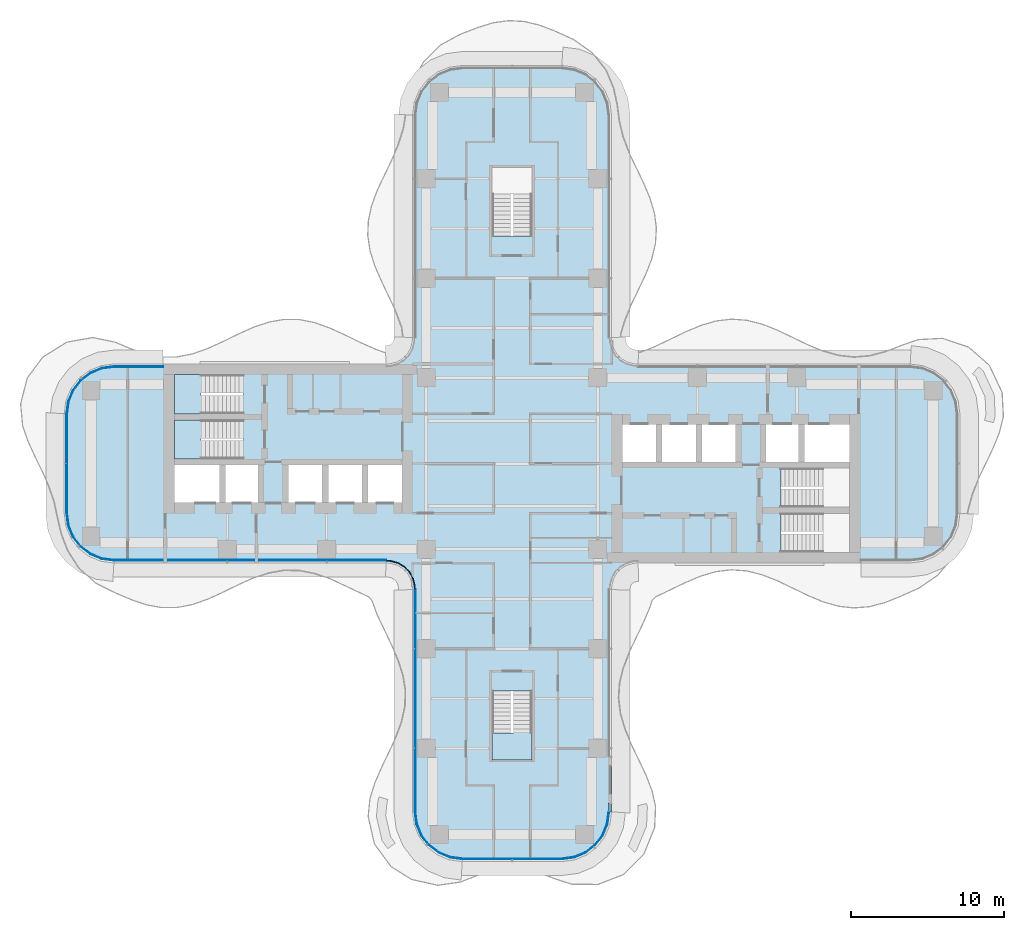
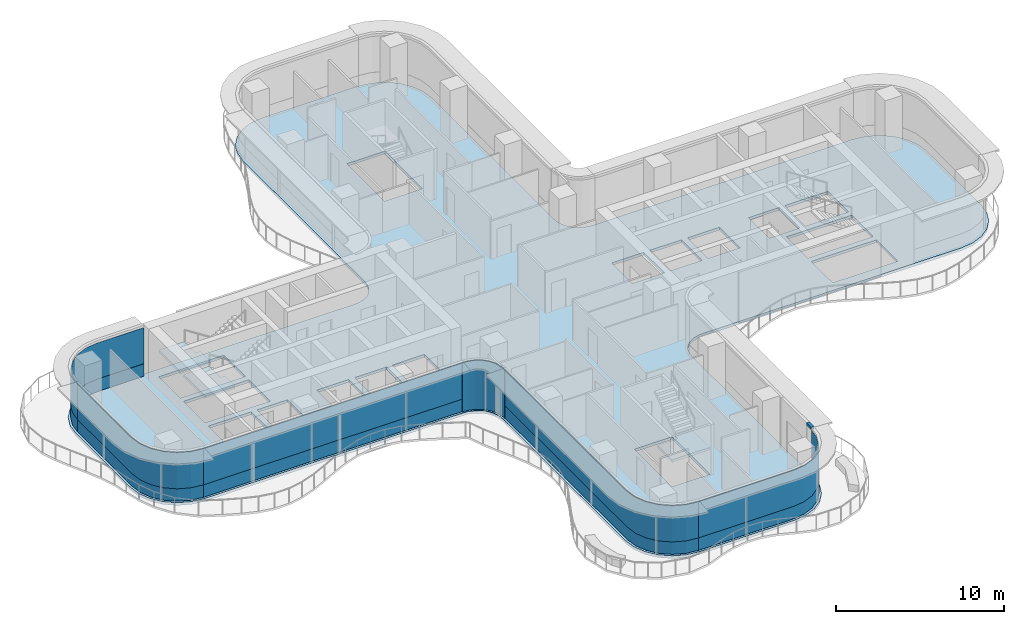
# One storey, part 9 of 18: 11 plates, 4 slabs, 1 member, 10 elements without a shape of their own.
"""IFC4 building model written with IfcOpenShell, lengths in metres."""

from ifc_helpers import new_model, si_unit, direction, frame, origin, place, context, subcontext, project, spatial, polyline, outline, extrude, source, transform, mapped, material, layer, layer_set, type_object, element, aggregate, save


model = new_model("IFC4")

# Units and contexts
model_context = context("Model", 3, precision=1e-05, world=origin(), true_north=direction((0.0, 1.0)))
body_context = subcontext(model_context, "Body", "Model", "MODEL_VIEW")
ifc_project = project(units=[si_unit("LENGTHUNIT", "METRE"), si_unit("AREAUNIT", "SQUARE_METRE"), si_unit("VOLUMEUNIT", "CUBIC_METRE"), si_unit("PLANEANGLEUNIT", "RADIAN"), si_unit("MASSUNIT", "GRAM", prefix="KILO")], contexts=[model_context])

# Site, building, storey
site_placement = place(None, origin())
site = spatial("IfcSite", under=ifc_project, at=site_placement, CompositionType="ELEMENT")
building_placement = place(site_placement, origin())
building = spatial("IfcBuilding", under=site, at=building_placement, Name="Trellis Farm Tower", CompositionType="ELEMENT")
storey_placement = place(building_placement, frame((0.0, 0.0, 177.60009765625)))
storey = spatial("IfcBuildingStorey", under=building, at=storey_placement, Name="L38", CompositionType="ELEMENT", Elevation=177.60009765625)

# Curtain wall, member
ifc_material_1 = material(Name="Aluminium and glass curtain wall", Category="aluminium")
ifc_layer_1 = layer(ifc_material_1, 0.18994140625)
ifc_layer_set_1 = layer_set([ifc_layer_1], Name="RIBBON CURTAIN WALL CW1")
curtain_wall_type_1 = type_object("IfcCurtainWallType", Name="RIBBON CURTAIN WALL CW1", PredefinedType="NOTDEFINED", material=ifc_layer_set_1)
placement_1 = place(storey_placement, origin())
curtain_wall_1 = element("IfcCurtainWall", 1, at=placement_1, inside=storey, type_object=curtain_wall_type_1, Name="CW1 004", PredefinedType="NOTDEFINED")
ifc_material_2 = material(Name="Aluminium extrusion 6063-T6", Category="aluminium")
ifc_layer_2 = layer(ifc_material_2, 0.199951171875)
ifc_layer_set_2 = layer_set([ifc_layer_2], Name="Aluminium extrusion 6063-T6")
member_type = type_object("IfcMemberType", Name="CW1 TRANSOM 200x180", PredefinedType="USERDEFINED", material=ifc_layer_set_2)
shared_shape_1 = source(origin(), body_context, "Body", "SweptSolid", [
    extrude(outline(polyline([(6.5, -22.75), (6.5, -22.175048828125), (6.300048828125, -22.175048828125), (6.300048828125, -22.73681640625), (6.5, -22.75)])), origin(), (0.0, 0.0, 1.0), 0.179931640625),
])
member_placement = place(storey_placement, frame((0.0, 0.0, 3.52001953125)))
member = element("IfcMember", 2, at=member_placement, type_object=member_type, Name="TR1 004", ObjectType="TRANSOM", PredefinedType="USERDEFINED", context=body_context, shape_type="MappedRepresentation", body=[
    mapped(shared_shape_1, transform((0.0, 0.0, 0.0))),
])
aggregate(curtain_wall_1, [member])

# Slab
ifc_material_3 = material(Name="Concrete C40/50", Category="concrete")
ifc_layer_3 = layer(ifc_material_3, 0.199951171875)
ifc_layer_set_3 = layer_set([ifc_layer_3], Name="Composite deck floor slab 200")
slab_type_1 = type_object("IfcSlabType", Name="Composite deck floor slab 200", PredefinedType="FLOOR", material=ifc_layer_set_3)
slab_1_placement = place(storey_placement, frame((0.0, 0.0, -0.2001953125)))
element("IfcSlab", 3, at=slab_1_placement, inside=storey, type_object=slab_type_1, Name="Floor slab", PredefinedType="FLOOR", context=body_context, shape_type="SweptSolid", body=[
    extrude(outline(polyline([(-26.84130859375, -6.389404296875), (-27.625, -6.064697265625), (-28.298095703125, -5.548095703125), (-28.814697265625, -4.875), (-29.139404296875, -4.09130859375), (-29.25, -3.25), (-29.25, 3.25), (-29.139404296875, 4.09130859375), (-28.814697265625, 4.875), (-28.298095703125, 5.548095703125), (-27.625, 6.064697265625), (-26.84130859375, 6.389404296875), (-26.0, 6.5), (-8.2314453125, 6.5), (-8.01953125, 6.513916015625), (-7.91552734375, 6.527587890625), (-7.508544921875, 6.63671875), (-7.144287109375, 6.846923828125), (-6.846923828125, 7.144287109375), (-6.63671875, 7.508544921875), (-6.527587890625, 7.91552734375), (-6.513916015625, 8.01953125), (-6.5, 8.2314453125), (-6.5, 22.75), (-6.389404296875, 23.59130859375), (-6.064697265625, 24.375), (-5.548095703125, 25.048095703125), (-4.875, 25.564697265625), (-4.09130859375, 25.889404296875), (-3.25, 26.0), (3.25, 26.0), (4.09130859375, 25.889404296875), (4.875, 25.564697265625), (5.548095703125, 25.048095703125), (6.064697265625, 24.375), (6.389404296875, 23.59130859375), (6.5, 22.75), (6.5, 8.2314453125), (6.513916015625, 8.01953125), (6.527587890625, 7.91552734375), (6.63671875, 7.508544921875), (6.846923828125, 7.144287109375), (7.144287109375, 6.846923828125), (7.508544921875, 6.63671875), (7.91552734375, 6.527587890625), (8.01953125, 6.513916015625), (8.2314453125, 6.5), (26.0, 6.5), (26.84130859375, 6.389404296875), (27.625, 6.064697265625), (28.298095703125, 5.548095703125), (28.814697265625, 4.875), (29.139404296875, 4.09130859375), (29.25, 3.25), (29.25, -3.25), (29.139404296875, -4.09130859375), (28.814697265625, -4.875), (28.298095703125, -5.548095703125), (27.625, -6.064697265625), (26.84130859375, -6.389404296875), (26.0, -6.5), (8.2314453125, -6.5), (8.01953125, -6.513916015625), (7.91552734375, -6.527587890625), (7.508544921875, -6.63671875), (7.144287109375, -6.846923828125), (6.846923828125, -7.144287109375), (6.63671875, -7.508544921875), (6.527587890625, -7.91552734375), (6.513916015625, -8.01953125), (6.5, -8.2314453125), (6.5, -22.75), (6.389404296875, -23.59130859375), (6.064697265625, -24.375), (5.548095703125, -25.048095703125), (4.875, -25.564697265625), (4.09130859375, -25.889404296875), (3.25, -26.0), (-3.25, -26.0), (-4.09130859375, -25.889404296875), (-4.875, -25.564697265625), (-5.548095703125, -25.048095703125), (-6.064697265625, -24.375), (-6.389404296875, -23.59130859375), (-6.5, -22.75), (-6.5, -8.2314453125), (-6.513916015625, -8.01953125), (-6.527587890625, -7.91552734375), (-6.63671875, -7.508544921875), (-6.846923828125, -7.144287109375), (-7.144287109375, -6.846923828125), (-7.508544921875, -6.63671875), (-7.91552734375, -6.527587890625), (-8.01953125, -6.513916015625), (-8.2314453125, -6.5), (-26.0, -6.5), (-26.84130859375, -6.389404296875)]), holes=[polyline([(-22.050048828125, -0.10009765625), (-22.050048828125, -2.550048828125), (-19.10009765625, -2.550048828125), (-19.10009765625, -0.10009765625), (-22.050048828125, -0.10009765625)]), polyline([(-18.699951171875, -0.10009765625), (-18.699951171875, -2.550048828125), (-16.60009765625, -2.550048828125), (-16.60009765625, -0.10009765625), (-18.699951171875, -0.10009765625)]), polyline([(-14.60009765625, -0.10009765625), (-14.60009765625, -2.550048828125), (-12.39990234375, -2.550048828125), (-12.39990234375, -0.10009765625), (-14.60009765625, -0.10009765625)]), polyline([(-12.0, -0.10009765625), (-12.0, -2.550048828125), (-9.800048828125, -2.550048828125), (-9.800048828125, -0.10009765625), (-12.0, -0.10009765625)]), polyline([(-9.39990234375, -0.10009765625), (-9.39990234375, -2.550048828125), (-7.199951171875, -2.550048828125), (-7.199951171875, -0.10009765625), (-9.39990234375, -0.10009765625)]), polyline([(-17.56201171875, 1.64990234375), (-17.56201171875, 2.85009765625), (-22.050048828125, 2.85009765625), (-22.050048828125, 0.300048828125), (-17.56005859375, 0.300048828125), (-17.56005859375, 1.5), (-17.550048828125, 1.5), (-17.550048828125, 1.64990234375), (-17.56201171875, 1.64990234375)]), polyline([(-17.56201171875, 4.60009765625), (-17.56201171875, 5.800048828125), (-22.050048828125, 5.800048828125), (-22.050048828125, 3.25), (-17.56005859375, 3.25), (-17.56005859375, 4.449951171875), (-17.550048828125, 4.449951171875), (-17.550048828125, 4.60009765625), (-17.56201171875, 4.60009765625)]), polyline([(0.10009765625, 14.862060546875), (1.300048828125, 14.862060546875), (1.300048828125, 19.35009765625), (-1.300048828125, 19.35009765625), (-1.300048828125, 14.860107421875), (-0.10009765625, 14.860107421875), (-0.10009765625, 14.85009765625), (0.10009765625, 14.85009765625), (0.10009765625, 14.862060546875)]), polyline([(-0.10009765625, -14.862060546875), (-1.300048828125, -14.862060546875), (-1.300048828125, -19.35009765625), (1.300048828125, -19.35009765625), (1.300048828125, -14.860107421875), (0.10009765625, -14.860107421875), (0.10009765625, -14.85009765625), (-0.10009765625, -14.85009765625), (-0.10009765625, -14.862060546875)]), polyline([(17.56201171875, -4.60009765625), (17.56201171875, -5.800048828125), (22.050048828125, -5.800048828125), (22.050048828125, -3.25), (17.56005859375, -3.25), (17.56005859375, -4.449951171875), (17.550048828125, -4.449951171875), (17.550048828125, -4.60009765625), (17.56201171875, -4.60009765625)]), polyline([(17.56201171875, -1.64990234375), (17.56201171875, -2.85009765625), (22.050048828125, -2.85009765625), (22.050048828125, -0.300048828125), (17.56005859375, -0.300048828125), (17.56005859375, -1.5), (17.550048828125, -1.5), (17.550048828125, -1.64990234375), (17.56201171875, -1.64990234375)]), polyline([(9.39990234375, 0.10009765625), (9.39990234375, 2.550048828125), (7.199951171875, 2.550048828125), (7.199951171875, 0.10009765625), (9.39990234375, 0.10009765625)]), polyline([(12.0, 0.10009765625), (12.0, 2.550048828125), (9.800048828125, 2.550048828125), (9.800048828125, 0.10009765625), (12.0, 0.10009765625)]), polyline([(14.60009765625, 0.10009765625), (14.60009765625, 2.550048828125), (12.39990234375, 2.550048828125), (12.39990234375, 0.10009765625), (14.60009765625, 0.10009765625)]), polyline([(18.699951171875, 0.10009765625), (18.699951171875, 2.550048828125), (16.60009765625, 2.550048828125), (16.60009765625, 0.10009765625), (18.699951171875, 0.10009765625)]), polyline([(22.050048828125, 0.10009765625), (22.050048828125, 2.550048828125), (19.10009765625, 2.550048828125), (19.10009765625, 0.10009765625), (22.050048828125, 0.10009765625)])]), origin(), (0.0, 0.0, 1.0), 0.2001953125),
])

# Stair, slab
ifc_material_4 = material(Name="Concrete C50/60", Category="concrete")
stair_type = type_object("IfcStairType", Name="CORE EXIT STAIR 22 RISERS 177 MM", PredefinedType="HALF_TURN_STAIR", material=ifc_material_4)
stair_1 = element("IfcStair", 4, at=placement_1, inside=storey, type_object=stair_type, Name="Exit stair S", PredefinedType="HALF_TURN_STAIR")
ifc_layer_4 = layer(ifc_material_4, 0.18994140625)
ifc_layer_set_4 = layer_set([ifc_layer_4], Name="CORE STAIR LANDING 190 CONCRETE C50/60")
slab_type_2 = type_object("IfcSlabType", Name="CORE STAIR LANDING 190 CONCRETE C50/60", PredefinedType="LANDING", material=ifc_layer_set_4)
shared_shape_2 = source(origin(), body_context, "Body", "SweptSolid", [
    extrude(outline(polyline([(1.300048828125, -19.35009765625), (-1.300048828125, -19.35009765625), (-1.300048828125, -17.60009765625), (-1.300048828125, -17.590087890625), (-0.10009765625, -17.590087890625), (-0.10009765625, -17.60009765625), (0.10009765625, -17.60009765625), (0.10009765625, -17.27197265625), (1.300048828125, -17.27197265625), (1.300048828125, -17.60009765625), (1.300048828125, -19.35009765625)])), origin(), (0.0, 0.0, 1.0), 0.18994140625),
])
placement_2 = place(storey_placement, frame((0.0, 0.0, 1.760009765625)))
slab_2 = element("IfcSlab", 5, at=placement_2, type_object=slab_type_2, Name="STS landing 1", PredefinedType="LANDING", context=body_context, shape_type="MappedRepresentation", body=[
    mapped(shared_shape_2, transform((0.0, 0.0, 0.0))),
])
aggregate(stair_1, [slab_2])

stair_2 = element("IfcStair", 6, at=placement_1, inside=storey, type_object=stair_type, Name="Exit stair W1", PredefinedType="HALF_TURN_STAIR")
shared_shape_3 = source(origin(), body_context, "Body", "SweptSolid", [
    extrude(outline(polyline([(-19.971923828125, 4.449951171875), (-19.971923828125, 3.25), (-20.300048828125, 3.25), (-22.050048828125, 3.25), (-22.050048828125, 5.800048828125), (-20.300048828125, 5.800048828125), (-20.2900390625, 5.800048828125), (-20.2900390625, 4.60009765625), (-20.300048828125, 4.60009765625), (-20.300048828125, 4.449951171875), (-19.971923828125, 4.449951171875)])), origin(), (0.0, 0.0, 1.0), 0.18994140625),
])
slab_3 = element("IfcSlab", 7, at=placement_2, type_object=slab_type_2, Name="STW1 landing 1", PredefinedType="LANDING", context=body_context, shape_type="MappedRepresentation", body=[
    mapped(shared_shape_3, transform((0.0, 0.0, 0.0))),
])
aggregate(stair_2, [slab_3])

stair_3 = element("IfcStair", 8, at=placement_1, inside=storey, type_object=stair_type, Name="Exit stair W2", PredefinedType="HALF_TURN_STAIR")
shared_shape_4 = source(origin(), body_context, "Body", "SweptSolid", [
    extrude(outline(polyline([(-19.971923828125, 1.5), (-19.971923828125, 0.300048828125), (-20.300048828125, 0.300048828125), (-22.050048828125, 0.300048828125), (-22.050048828125, 2.85009765625), (-20.300048828125, 2.85009765625), (-20.2900390625, 2.85009765625), (-20.2900390625, 1.64990234375), (-20.300048828125, 1.64990234375), (-20.300048828125, 1.5), (-19.971923828125, 1.5)])), origin(), (0.0, 0.0, 1.0), 0.18994140625),
])
slab_4 = element("IfcSlab", 9, at=placement_2, type_object=slab_type_2, Name="STW2 landing 1", PredefinedType="LANDING", context=body_context, shape_type="MappedRepresentation", body=[
    mapped(shared_shape_4, transform((0.0, 0.0, 0.0))),
])
aggregate(stair_3, [slab_4])

# Curtain wall, plate
curtain_wall_2 = element("IfcCurtainWall", 10, at=placement_1, inside=storey, type_object=curtain_wall_type_1, Name="CW1 002", PredefinedType="NOTDEFINED")
ifc_material_5 = material(Name="Sandstone faced insulated panel", Category="masonry")
ifc_layer_5 = layer(ifc_material_5, 0.050048828125)
ifc_layer_set_5 = layer_set([ifc_layer_5], Name="CW1 STONE SPANDREL PANEL 50")
plate_type_1 = type_object("IfcPlateType", Name="CW1 STONE SPANDREL PANEL 50", PredefinedType="CURTAIN_PANEL", material=ifc_layer_set_5)
shared_shape_5 = source(origin(), body_context, "Body", "SweptSolid", [
    extrude(outline(polyline([(-6.35009765625, -8.2265625), (-6.35009765625, -22.740234375), (-6.2431640625, -23.552001953125), (-5.93359375, -24.29931640625), (-5.441162109375, -24.941162109375), (-4.79931640625, -25.43359375), (-4.052001953125, -25.7431640625), (-3.240234375, -25.85009765625), (-3.23681640625, -25.800048828125), (-4.0390625, -25.6943359375), (-4.774169921875, -25.389892578125), (-5.405517578125, -24.905517578125), (-5.889892578125, -24.274169921875), (-6.1943359375, -23.5390625), (-6.300048828125, -22.73681640625), (-6.300048828125, -8.224853515625), (-6.35009765625, -8.2265625)])), origin(), (0.0, 0.0, 1.0), 0.89990234375),
])
plate_1 = element("IfcPlate", 11, at=placement_1, type_object=plate_type_1, Name="PS1 002", PredefinedType="CURTAIN_PANEL", context=body_context, shape_type="MappedRepresentation", body=[
    mapped(shared_shape_5, transform((0.0, 0.0, 0.0))),
])

curtain_wall_3 = element("IfcCurtainWall", 12, at=placement_1, inside=storey, type_object=curtain_wall_type_1, Name="CW1 003", PredefinedType="NOTDEFINED")
shared_shape_6 = source(origin(), body_context, "Body", "SweptSolid", [
    extrude(outline(polyline([(-3.240234375, -25.85009765625), (3.240234375, -25.85009765625), (4.052001953125, -25.7431640625), (4.79931640625, -25.43359375), (5.441162109375, -24.941162109375), (5.93359375, -24.29931640625), (6.2431640625, -23.552001953125), (6.35009765625, -22.740234375), (6.300048828125, -22.73681640625), (6.1943359375, -23.5390625), (5.889892578125, -24.274169921875), (5.405517578125, -24.905517578125), (4.774169921875, -25.389892578125), (4.0390625, -25.6943359375), (3.23681640625, -25.800048828125), (-3.23681640625, -25.800048828125), (-3.240234375, -25.85009765625)])), origin(), (0.0, 0.0, 1.0), 0.89990234375),
])
plate_2 = element("IfcPlate", 13, at=placement_1, type_object=plate_type_1, Name="PS1 003", PredefinedType="CURTAIN_PANEL", context=body_context, shape_type="MappedRepresentation", body=[
    mapped(shared_shape_6, transform((0.0, 0.0, 0.0))),
])

# Curtain wall, plates
curtain_wall_4 = element("IfcCurtainWall", 14, at=placement_1, inside=storey, type_object=curtain_wall_type_1, Name="CW1 001", PredefinedType="NOTDEFINED")
ifc_material_6 = material(Name="Clear insulated glass", Category="glass")
ifc_layer_6 = layer(ifc_material_6, 0.0400390625)
ifc_layer_set_6 = layer_set([ifc_layer_6], Name="CW1 GLASS PANEL 40")
plate_type_2 = type_object("IfcPlateType", Name="CW1 GLASS PANEL 40", PredefinedType="CURTAIN_PANEL", material=ifc_layer_set_6)
shared_shape_7 = source(origin(), body_context, "Body", "SweptSolid", [
    extrude(outline(polyline([(-25.990234375, -6.35009765625), (-8.2265625, -6.35009765625), (-8.22509765625, -6.31005859375), (-25.987548828125, -6.31005859375), (-25.990234375, -6.35009765625)])), origin(), (0.0, 0.0, 1.0), 2.6201171875),
])
placement_3 = place(storey_placement, frame((0.0, 0.0, 0.89990234375)))
plate_3 = element("IfcPlate", 15, at=placement_3, type_object=plate_type_2, Name="PL1 001", PredefinedType="CURTAIN_PANEL", context=body_context, shape_type="MappedRepresentation", body=[
    mapped(shared_shape_7, transform((0.0, 0.0, 0.0))),
])
shared_shape_8 = source(origin(), body_context, "Body", "SweptSolid", [
    extrude(outline(polyline([(-25.990234375, -6.35009765625), (-8.2265625, -6.35009765625), (-8.224853515625, -6.300048828125), (-25.98681640625, -6.300048828125), (-25.990234375, -6.35009765625)])), origin(), (0.0, 0.0, 1.0), 0.89990234375),
])
plate_4 = element("IfcPlate", 16, at=placement_1, type_object=plate_type_1, Name="PS1 001", PredefinedType="CURTAIN_PANEL", context=body_context, shape_type="MappedRepresentation", body=[
    mapped(shared_shape_8, transform((0.0, 0.0, 0.0))),
])
aggregate(curtain_wall_4, [plate_3, plate_4])

# Plate
shared_shape_9 = source(origin(), body_context, "Body", "SweptSolid", [
    extrude(outline(polyline([(-6.35009765625, -8.2265625), (-6.35009765625, -22.740234375), (-6.2431640625, -23.552001953125), (-5.93359375, -24.29931640625), (-5.441162109375, -24.941162109375), (-4.79931640625, -25.43359375), (-4.052001953125, -25.7431640625), (-3.240234375, -25.85009765625), (-3.237548828125, -25.81005859375), (-4.04150390625, -25.7041015625), (-4.779296875, -25.398681640625), (-5.41259765625, -24.91259765625), (-5.898681640625, -24.279296875), (-6.2041015625, -23.54150390625), (-6.31005859375, -22.737548828125), (-6.31005859375, -8.22509765625), (-6.35009765625, -8.2265625)])), origin(), (0.0, 0.0, 1.0), 2.6201171875),
])
plate_5 = element("IfcPlate", 17, at=placement_3, type_object=plate_type_2, Name="PL1 002", PredefinedType="CURTAIN_PANEL", context=body_context, shape_type="MappedRepresentation", body=[
    mapped(shared_shape_9, transform((0.0, 0.0, 0.0))),
])

aggregate(curtain_wall_2, [plate_5, plate_1])

shared_shape_10 = source(origin(), body_context, "Body", "SweptSolid", [
    extrude(outline(polyline([(-3.240234375, -25.85009765625), (3.240234375, -25.85009765625), (4.052001953125, -25.7431640625), (4.79931640625, -25.43359375), (5.441162109375, -24.941162109375), (5.93359375, -24.29931640625), (6.2431640625, -23.552001953125), (6.35009765625, -22.740234375), (6.31005859375, -22.737548828125), (6.2041015625, -23.54150390625), (5.898681640625, -24.279296875), (5.41259765625, -24.91259765625), (4.779296875, -25.398681640625), (4.04150390625, -25.7041015625), (3.237548828125, -25.81005859375), (-3.237548828125, -25.81005859375), (-3.240234375, -25.85009765625)])), origin(), (0.0, 0.0, 1.0), 2.6201171875),
])
plate_6 = element("IfcPlate", 18, at=placement_3, type_object=plate_type_2, Name="PL1 003", PredefinedType="CURTAIN_PANEL", context=body_context, shape_type="MappedRepresentation", body=[
    mapped(shared_shape_10, transform((0.0, 0.0, 0.0))),
])

aggregate(curtain_wall_3, [plate_6, plate_2])

# Curtain wall, plates
curtain_wall_5 = element("IfcCurtainWall", 19, at=placement_1, inside=storey, type_object=curtain_wall_type_1, Name="CW1 012", PredefinedType="NOTDEFINED")
shared_shape_11 = source(origin(), body_context, "Body", "SweptSolid", [
    extrude(outline(polyline([(-22.780029296875, 6.35009765625), (-25.990234375, 6.35009765625), (-26.802001953125, 6.2431640625), (-27.54931640625, 5.93359375), (-28.191162109375, 5.441162109375), (-28.68359375, 4.79931640625), (-28.9931640625, 4.052001953125), (-29.10009765625, 3.240234375), (-29.06005859375, 3.237548828125), (-28.9541015625, 4.04150390625), (-28.648681640625, 4.779296875), (-28.16259765625, 5.41259765625), (-27.529296875, 5.898681640625), (-26.79150390625, 6.2041015625), (-25.987548828125, 6.31005859375), (-22.780029296875, 6.31005859375), (-22.780029296875, 6.35009765625)])), origin(), (0.0, 0.0, 1.0), 2.6201171875),
])
plate_7 = element("IfcPlate", 20, at=placement_3, type_object=plate_type_2, Name="PL1 012", PredefinedType="CURTAIN_PANEL", context=body_context, shape_type="MappedRepresentation", body=[
    mapped(shared_shape_11, transform((0.0, 0.0, 0.0))),
])
shared_shape_12 = source(origin(), body_context, "Body", "SweptSolid", [
    extrude(outline(polyline([(-22.780029296875, 6.35009765625), (-25.990234375, 6.35009765625), (-26.802001953125, 6.2431640625), (-27.54931640625, 5.93359375), (-28.191162109375, 5.441162109375), (-28.68359375, 4.79931640625), (-28.9931640625, 4.052001953125), (-29.10009765625, 3.240234375), (-29.050048828125, 3.23681640625), (-28.9443359375, 4.0390625), (-28.639892578125, 4.774169921875), (-28.155517578125, 5.405517578125), (-27.524169921875, 5.889892578125), (-26.7890625, 6.1943359375), (-25.98681640625, 6.300048828125), (-22.780029296875, 6.300048828125), (-22.780029296875, 6.35009765625)])), origin(), (0.0, 0.0, 1.0), 0.89990234375),
])
plate_8 = element("IfcPlate", 21, at=placement_1, type_object=plate_type_1, Name="PS1 012", PredefinedType="CURTAIN_PANEL", context=body_context, shape_type="MappedRepresentation", body=[
    mapped(shared_shape_12, transform((0.0, 0.0, 0.0))),
])
aggregate(curtain_wall_5, [plate_7, plate_8])

curtain_wall_6 = element("IfcCurtainWall", 22, at=placement_1, inside=storey, type_object=curtain_wall_type_1, Name="CW1 013", PredefinedType="NOTDEFINED")
shared_shape_13 = source(origin(), body_context, "Body", "SweptSolid", [
    extrude(outline(polyline([(-29.10009765625, 3.240234375), (-29.10009765625, -3.240234375), (-28.9931640625, -4.052001953125), (-28.68359375, -4.79931640625), (-28.191162109375, -5.441162109375), (-27.54931640625, -5.93359375), (-26.802001953125, -6.2431640625), (-25.990234375, -6.35009765625), (-25.987548828125, -6.31005859375), (-26.79150390625, -6.2041015625), (-27.529296875, -5.898681640625), (-28.16259765625, -5.41259765625), (-28.648681640625, -4.779296875), (-28.9541015625, -4.04150390625), (-29.06005859375, -3.237548828125), (-29.06005859375, 3.237548828125), (-29.10009765625, 3.240234375)])), origin(), (0.0, 0.0, 1.0), 2.6201171875),
])
plate_9 = element("IfcPlate", 23, at=placement_3, type_object=plate_type_2, Name="PL1 013", PredefinedType="CURTAIN_PANEL", context=body_context, shape_type="MappedRepresentation", body=[
    mapped(shared_shape_13, transform((0.0, 0.0, 0.0))),
])
shared_shape_14 = source(origin(), body_context, "Body", "SweptSolid", [
    extrude(outline(polyline([(-29.10009765625, 3.240234375), (-29.10009765625, -3.240234375), (-28.9931640625, -4.052001953125), (-28.68359375, -4.79931640625), (-28.191162109375, -5.441162109375), (-27.54931640625, -5.93359375), (-26.802001953125, -6.2431640625), (-25.990234375, -6.35009765625), (-25.98681640625, -6.300048828125), (-26.7890625, -6.1943359375), (-27.524169921875, -5.889892578125), (-28.155517578125, -5.405517578125), (-28.639892578125, -4.774169921875), (-28.9443359375, -4.0390625), (-29.050048828125, -3.23681640625), (-29.050048828125, 3.23681640625), (-29.10009765625, 3.240234375)])), origin(), (0.0, 0.0, 1.0), 0.89990234375),
])
plate_10 = element("IfcPlate", 24, at=placement_1, type_object=plate_type_1, Name="PS1 013", PredefinedType="CURTAIN_PANEL", context=body_context, shape_type="MappedRepresentation", body=[
    mapped(shared_shape_14, transform((0.0, 0.0, 0.0))),
])
aggregate(curtain_wall_6, [plate_9, plate_10])

# Curtain wall, plate
ifc_layer_7 = layer(ifc_material_1, 0.166015625)
ifc_layer_set_7 = layer_set([ifc_layer_7], Name="WINTER GARDEN CURTAIN WALL CW3")
curtain_wall_type_2 = type_object("IfcCurtainWallType", Name="WINTER GARDEN CURTAIN WALL CW3", PredefinedType="NOTDEFINED", material=ifc_layer_set_7)
curtain_wall_7 = element("IfcCurtainWall", 25, at=placement_1, inside=storey, type_object=curtain_wall_type_2, Name="CW3 001", PredefinedType="NOTDEFINED")
ifc_layer_8 = layer(ifc_material_6, 0.0458984375)
ifc_layer_set_8 = layer_set([ifc_layer_8], Name="CW3 GLASS PANEL 46")
plate_type_3 = type_object("IfcPlateType", Name="CW3 GLASS PANEL 46", PredefinedType="CURTAIN_PANEL", material=ifc_layer_set_8)
shared_shape_15 = source(origin(), body_context, "Body", "SweptSolid", [
    extrude(outline(polyline([(-8.2275390625, -6.3798828125), (-8.0078125, -6.394287109375), (-7.89208984375, -6.40966796875), (-7.462158203125, -6.52490234375), (-7.070556640625, -6.7509765625), (-6.7509765625, -7.070556640625), (-6.52490234375, -7.462158203125), (-6.40966796875, -7.89208984375), (-6.394287109375, -8.0078125), (-6.3798828125, -8.2275390625), (-6.333984375, -8.22607421875), (-6.3486328125, -8.003173828125), (-6.364501953125, -7.883056640625), (-6.48193359375, -7.4443359375), (-6.714111328125, -7.04248046875), (-7.04248046875, -6.714111328125), (-7.4443359375, -6.48193359375), (-7.883056640625, -6.364501953125), (-8.003173828125, -6.3486328125), (-8.22607421875, -6.333984375), (-8.2275390625, -6.3798828125)])), origin(), (0.0, 0.0, 1.0), 3.5498046875),
])
plate_11 = element("IfcPlate", 26, at=placement_1, type_object=plate_type_3, Name="PL3 001", PredefinedType="CURTAIN_PANEL", context=body_context, shape_type="MappedRepresentation", body=[
    mapped(shared_shape_15, transform((0.0, 0.0, 0.0))),
])
aggregate(curtain_wall_7, [plate_11])

save(model, "model.ifc")
